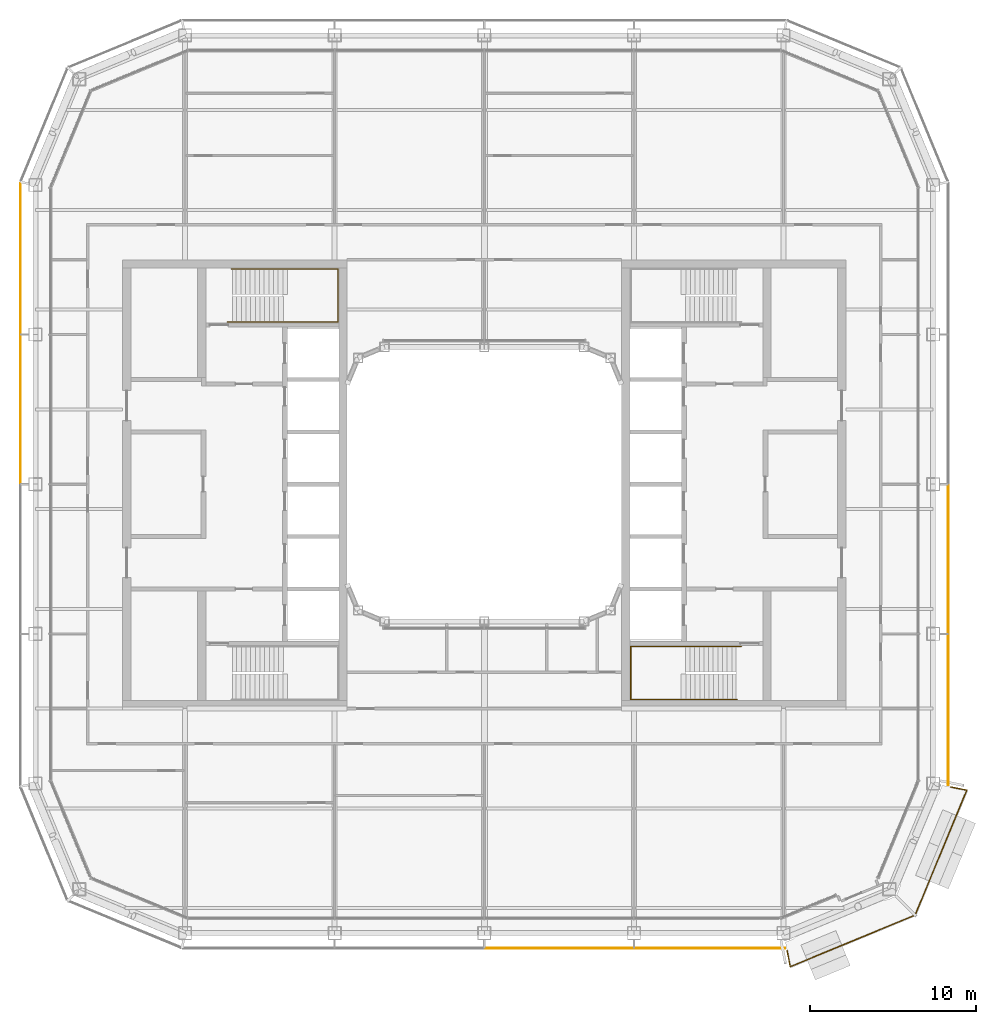
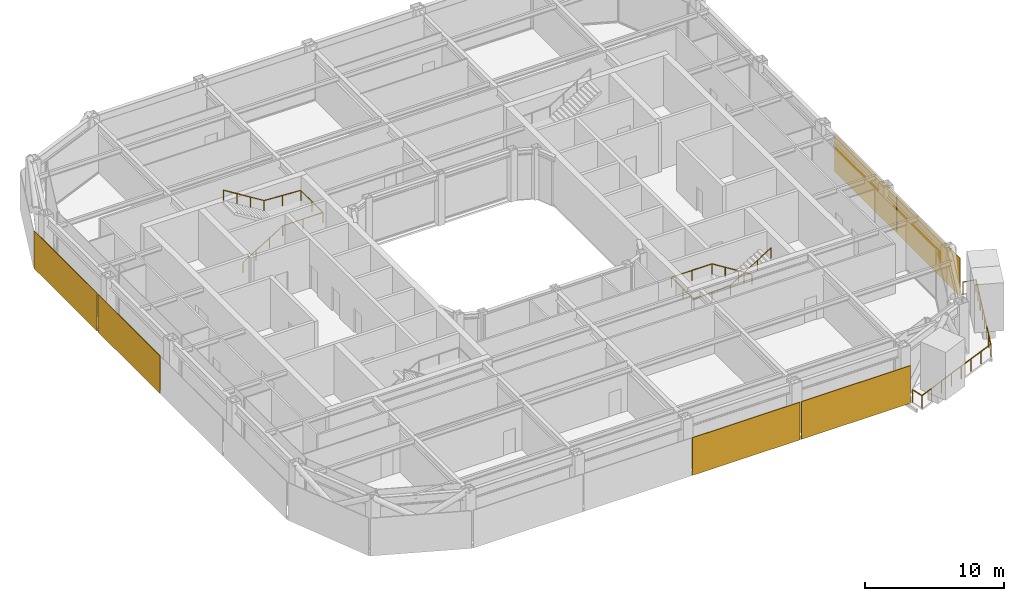
# One storey, part 20 of 23: 6 coverings, 3 railings.
"""IFC4 building model written with IfcOpenShell, lengths in metres."""

from ifc_helpers import new_model, si_unit, direction, frame, origin, origin_2d, place, context, subcontext, project, spatial, rectangle, circle, extrude, material, layer, layer_set, type_object, element, save


model = new_model("IFC4")

# Units and contexts
model_context = context("Model", 3, precision=1e-05, world=origin(), true_north=direction((0.0, 1.0)))
body_context = subcontext(model_context, "Body", "Model", "MODEL_VIEW")
ifc_project = project(units=[si_unit("LENGTHUNIT", "METRE"), si_unit("AREAUNIT", "SQUARE_METRE"), si_unit("VOLUMEUNIT", "CUBIC_METRE"), si_unit("PLANEANGLEUNIT", "RADIAN"), si_unit("MASSUNIT", "GRAM", prefix="KILO")], contexts=[model_context])

# Site, building, storey
site_placement = place(None, origin())
site = spatial("IfcSite", under=ifc_project, at=site_placement, CompositionType="ELEMENT")
building_placement = place(site_placement, origin())
building = spatial("IfcBuilding", under=site, at=building_placement, Name="Siwar Civic Tower", CompositionType="ELEMENT")
storey_placement = place(building_placement, frame((0.0, 0.0, 237.699951171875)))
storey = spatial("IfcBuildingStorey", under=building, at=storey_placement, Name="L51", CompositionType="ELEMENT", Elevation=237.699951171875)

# Railings
ifc_material_1 = material(Name="Stainless steel", Category="steel")
railing_type_1 = type_object("IfcRailingType", Name="CORE-STAIR-HANDRAIL", PredefinedType="HANDRAIL", material=ifc_material_1)
railing_1_placement = place(storey_placement, frame((-15.449951171875, 9.758056640625, 0.173095703125)))
element("IfcRailing", 1, at=railing_1_placement, inside=storey, type_object=railing_type_1, Name="Stair handrail ST1", PredefinedType="HANDRAIL", context=body_context, shape_type="SweptSolid", body=[
    extrude(circle(Radius=0.02001953125, at=origin_2d()), frame((0.0, 0.0, 0.8798828125), z_axis=(0.847063342986, 0.0, 0.531491950051), x_axis=(0.0, 1.0, 0.0)), (0.0, 0.0, 1.0), 3.90771484375),
    extrude(circle(Radius=0.02001953125, at=origin_2d()), frame((3.31005859375, 0.0, 2.956787109375), z_axis=(1.0, 0.0, 0.0), x_axis=(0.0, 1.0, 0.0)), (0.0, 0.0, 1.0), 3.331787109375),
    extrude(circle(Radius=0.02001953125, at=origin_2d()), frame((6.641845703125, 0.0, 2.956787109375), z_axis=(0.0, 1.0, 0.0), x_axis=(-1.0, 0.0, 0.0)), (0.0, 0.0, 1.0), 3.183837890625),
    extrude(circle(Radius=0.02001953125, at=origin_2d()), frame((6.641845703125, 3.183837890625, 2.956787109375), z_axis=(-0.99837434197, 0.0, 0.056997134106), x_axis=(0.0, -1.0, 0.0)), (0.0, 0.0, 1.0), 3.036865234375),
    extrude(circle(Radius=0.02001953125, at=origin_2d()), frame((3.60986328125, 3.183837890625, 3.1298828125), z_axis=(-0.850606129759, 0.0, 0.525803396734), x_axis=(0.0, -1.0, 0.0)), (0.0, 0.0, 1.0), 3.949951171875),
    extrude(circle(Radius=0.02001953125, at=origin_2d()), origin(), (0.0, 0.0, 1.0), 0.85986328125),
    extrude(circle(Radius=0.02001953125, at=origin_2d()), frame((1.103271484375, 0.0, 0.6923828125)), (0.0, 0.0, 1.0), 0.85986328125),
    extrude(circle(Radius=0.02001953125, at=origin_2d()), frame((2.206787109375, 0.0, 1.384521484375)), (0.0, 0.0, 1.0), 0.85986328125),
    extrude(circle(Radius=0.02001953125, at=origin_2d()), frame((3.31005859375, 0.0, 2.076904296875)), (0.0, 0.0, 1.0), 0.85986328125),
    extrude(circle(Radius=0.02001953125, at=origin_2d()), frame((4.97607421875, 0.0, 2.076904296875)), (0.0, 0.0, 1.0), 0.85986328125),
    extrude(circle(Radius=0.02001953125, at=origin_2d()), frame((6.641845703125, 0.0, 2.076904296875)), (0.0, 0.0, 1.0), 0.85986328125),
    extrude(circle(Radius=0.02001953125, at=origin_2d()), frame((6.641845703125, 1.591796875, 2.076904296875)), (0.0, 0.0, 1.0), 0.85986328125),
    extrude(circle(Radius=0.02001953125, at=origin_2d()), frame((6.641845703125, 3.183837890625, 2.076904296875)), (0.0, 0.0, 1.0), 0.85986328125),
    extrude(circle(Radius=0.02001953125, at=origin_2d()), frame((5.1259765625, 3.183837890625, 2.16357421875)), (0.0, 0.0, 1.0), 0.85986328125),
    extrude(circle(Radius=0.02001953125, at=origin_2d()), frame((3.60986328125, 3.183837890625, 2.25)), (0.0, 0.0, 1.0), 0.85986328125),
    extrude(circle(Radius=0.02001953125, at=origin_2d()), frame((2.489990234375, 3.183837890625, 2.9423828125)), (0.0, 0.0, 1.0), 0.85986328125),
    extrude(circle(Radius=0.02001953125, at=origin_2d()), frame((1.369873046875, 3.183837890625, 3.634521484375)), (0.0, 0.0, 1.0), 0.85986328125),
    extrude(circle(Radius=0.02001953125, at=origin_2d()), frame((0.25, 3.183837890625, 4.326904296875)), (0.0, 0.0, 1.0), 0.85986328125),
])
railing_2_placement = place(storey_placement, frame((15.449951171875, -9.758056640625, 0.173095703125)))
element("IfcRailing", 2, at=railing_2_placement, inside=storey, type_object=railing_type_1, Name="Stair handrail ST4", PredefinedType="HANDRAIL", context=body_context, shape_type="SweptSolid", body=[
    extrude(circle(Radius=0.02001953125, at=origin_2d()), frame((0.0, 0.0, 0.8798828125), z_axis=(-0.847063342986, 0.0, 0.531491950051), x_axis=(0.0, -1.0, 0.0)), (0.0, 0.0, 1.0), 3.90771484375),
    extrude(circle(Radius=0.02001953125, at=origin_2d()), frame((-3.31005859375, 0.0, 2.956787109375), z_axis=(-1.0, 0.0, 0.0), x_axis=(0.0, -1.0, 0.0)), (0.0, 0.0, 1.0), 3.331787109375),
    extrude(circle(Radius=0.02001953125, at=origin_2d()), frame((-6.641845703125, 0.0, 2.956787109375), z_axis=(0.0, -1.0, 0.0), x_axis=(1.0, 0.0, 0.0)), (0.0, 0.0, 1.0), 3.183837890625),
    extrude(circle(Radius=0.02001953125, at=origin_2d()), frame((-6.641845703125, -3.183837890625, 2.956787109375), z_axis=(0.99837434197, 0.0, 0.056997134106), x_axis=(0.0, 1.0, 0.0)), (0.0, 0.0, 1.0), 3.036865234375),
    extrude(circle(Radius=0.02001953125, at=origin_2d()), frame((-3.60986328125, -3.183837890625, 3.1298828125), z_axis=(0.850606129759, 0.0, 0.525803396734), x_axis=(0.0, 1.0, 0.0)), (0.0, 0.0, 1.0), 3.949951171875),
    extrude(circle(Radius=0.02001953125, at=origin_2d()), origin(), (0.0, 0.0, 1.0), 0.85986328125),
    extrude(circle(Radius=0.02001953125, at=origin_2d()), frame((-1.103271484375, 0.0, 0.6923828125)), (0.0, 0.0, 1.0), 0.85986328125),
    extrude(circle(Radius=0.02001953125, at=origin_2d()), frame((-2.206787109375, 0.0, 1.384521484375)), (0.0, 0.0, 1.0), 0.85986328125),
    extrude(circle(Radius=0.02001953125, at=origin_2d()), frame((-3.31005859375, 0.0, 2.076904296875)), (0.0, 0.0, 1.0), 0.85986328125),
    extrude(circle(Radius=0.02001953125, at=origin_2d()), frame((-4.97607421875, 0.0, 2.076904296875)), (0.0, 0.0, 1.0), 0.85986328125),
    extrude(circle(Radius=0.02001953125, at=origin_2d()), frame((-6.641845703125, 0.0, 2.076904296875)), (0.0, 0.0, 1.0), 0.85986328125),
    extrude(circle(Radius=0.02001953125, at=origin_2d()), frame((-6.641845703125, -1.591796875, 2.076904296875)), (0.0, 0.0, 1.0), 0.85986328125),
    extrude(circle(Radius=0.02001953125, at=origin_2d()), frame((-6.641845703125, -3.183837890625, 2.076904296875)), (0.0, 0.0, 1.0), 0.85986328125),
    extrude(circle(Radius=0.02001953125, at=origin_2d()), frame((-5.1259765625, -3.183837890625, 2.16357421875)), (0.0, 0.0, 1.0), 0.85986328125),
    extrude(circle(Radius=0.02001953125, at=origin_2d()), frame((-3.60986328125, -3.183837890625, 2.25)), (0.0, 0.0, 1.0), 0.85986328125),
    extrude(circle(Radius=0.02001953125, at=origin_2d()), frame((-2.489990234375, -3.183837890625, 2.9423828125)), (0.0, 0.0, 1.0), 0.85986328125),
    extrude(circle(Radius=0.02001953125, at=origin_2d()), frame((-1.369873046875, -3.183837890625, 3.634521484375)), (0.0, 0.0, 1.0), 0.85986328125),
    extrude(circle(Radius=0.02001953125, at=origin_2d()), frame((-0.25, -3.183837890625, 4.326904296875)), (0.0, 0.0, 1.0), 0.85986328125),
])
ifc_material_2 = material(Name="Stainless steel 316", Category="steel")
railing_type_2 = type_object("IfcRailingType", Name="ENV-GUARD", PredefinedType="GUARDRAIL", material=ifc_material_2)
railing_3_placement = place(storey_placement, frame((18.208251953125, -28.047119140625, 0.0)))
element("IfcRailing", 3, at=railing_3_placement, inside=storey, type_object=railing_type_2, Name="Balcony guard SE", PredefinedType="GUARDRAIL", context=body_context, shape_type="SweptSolid", body=[
    extrude(circle(Radius=0.02392578125, at=origin_2d()), frame((0.0, 0.0, 1.076171875), z_axis=(0.195123592472, -0.980778661911, 0.0), x_axis=(0.980778661911, 0.195123592472, 0.0)), (0.0, 0.0, 1.0), 0.993408203125),
    extrude(circle(Radius=0.02392578125, at=origin_2d()), frame((0.19384765625, -0.974365234375, 1.076171875), z_axis=(0.924089256518, 0.382176720888, 0.0), x_axis=(-0.382176720888, 0.924089256518, 0.0)), (0.0, 0.0, 1.0), 8.129638671875),
    extrude(circle(Radius=0.02392578125, at=origin_2d()), frame((7.706298828125, 2.132568359375, 1.076171875), z_axis=(0.382176720888, 0.924089256518, 0.0), x_axis=(-0.924089256518, 0.382176720888, 0.0)), (0.0, 0.0, 1.0), 8.129638671875),
    extrude(circle(Radius=0.02392578125, at=origin_2d()), frame((10.813232421875, 9.64501953125, 1.076171875), z_axis=(-0.980778661911, 0.195123592472, 0.0), x_axis=(-0.195123592472, -0.980778661911, 0.0)), (0.0, 0.0, 1.0), 0.993408203125),
    extrude(circle(Radius=0.02099609375, at=origin_2d()), origin(), (0.0, 0.0, 1.0), 1.052001953125),
    extrude(circle(Radius=0.02099609375, at=origin_2d()), frame((0.19384765625, -0.974365234375, 0.0)), (0.0, 0.0, 1.0), 1.052001953125),
    extrude(circle(Radius=0.02099609375, at=origin_2d()), frame((1.26708984375, -0.530517578125, 0.0)), (0.0, 0.0, 1.0), 1.052001953125),
    extrude(circle(Radius=0.02099609375, at=origin_2d()), frame((2.34033203125, -0.086669921875, 0.0)), (0.0, 0.0, 1.0), 1.052001953125),
    extrude(circle(Radius=0.02099609375, at=origin_2d()), frame((3.41357421875, 0.357177734375, 0.0)), (0.0, 0.0, 1.0), 1.052001953125),
    extrude(circle(Radius=0.02099609375, at=origin_2d()), frame((4.486572265625, 0.801025390625, 0.0)), (0.0, 0.0, 1.0), 1.052001953125),
    extrude(circle(Radius=0.02099609375, at=origin_2d()), frame((5.559814453125, 1.244873046875, 0.0)), (0.0, 0.0, 1.0), 1.052001953125),
    extrude(circle(Radius=0.02099609375, at=origin_2d()), frame((6.633056640625, 1.688720703125, 0.0)), (0.0, 0.0, 1.0), 1.052001953125),
    extrude(circle(Radius=0.02099609375, at=origin_2d()), frame((7.706298828125, 2.132568359375, 0.0)), (0.0, 0.0, 1.0), 1.052001953125),
    extrude(circle(Radius=0.02099609375, at=origin_2d()), frame((8.150146484375, 3.205810546875, 0.0)), (0.0, 0.0, 1.0), 1.052001953125),
    extrude(circle(Radius=0.02099609375, at=origin_2d()), frame((8.593994140625, 4.279052734375, 0.0)), (0.0, 0.0, 1.0), 1.052001953125),
    extrude(circle(Radius=0.02099609375, at=origin_2d()), frame((9.037841796875, 5.352294921875, 0.0)), (0.0, 0.0, 1.0), 1.052001953125),
    extrude(circle(Radius=0.02099609375, at=origin_2d()), frame((9.481689453125, 6.42529296875, 0.0)), (0.0, 0.0, 1.0), 1.052001953125),
    extrude(circle(Radius=0.02099609375, at=origin_2d()), frame((9.925537109375, 7.49853515625, 0.0)), (0.0, 0.0, 1.0), 1.052001953125),
    extrude(circle(Radius=0.02099609375, at=origin_2d()), frame((10.369384765625, 8.57177734375, 0.0)), (0.0, 0.0, 1.0), 1.052001953125),
    extrude(circle(Radius=0.02099609375, at=origin_2d()), frame((10.813232421875, 9.64501953125, 0.0)), (0.0, 0.0, 1.0), 1.052001953125),
    extrude(circle(Radius=0.02099609375, at=origin_2d()), frame((9.8388671875, 9.8388671875, 0.0)), (0.0, 0.0, 1.0), 1.052001953125),
])

# Coverings
ifc_material_3 = material(Name="Perforated aluminium cassette, pale metal", Category="aluminium")
ifc_layer_1 = layer(ifc_material_3, 0.0400390625)
ifc_layer_set_1 = layer_set([ifc_layer_1], Name="Perforated aluminium cassette, pale metal")
covering_type_1 = type_object("IfcCoveringType", Name="ENV-OUTER SKIN OS-1", PredefinedType="CLADDING", material=ifc_layer_set_1)
covering_1_placement = place(storey_placement, frame((27.89990234375, -13.57958984375, -0.14990234375), z_axis=(0.0, 0.0, 1.0), x_axis=(0.0, 1.0, 0.0)))
element("IfcCovering", 4, at=covering_1_placement, inside=storey, type_object=covering_type_1, Name="OUTER SKIN OS-1 E 1", PredefinedType="CLADDING", context=body_context, shape_type="SweptSolid", body=[
    extrude(rectangle(XDim=9.05908203125, YDim=0.0400390625, at=origin_2d()), origin(), (0.0, 0.0, 1.0), 3.300048828125),
])
covering_2_placement = place(storey_placement, frame((27.89990234375, -4.5, -0.14990234375), z_axis=(0.0, 0.0, 1.0), x_axis=(0.0, 1.0, 0.0)))
element("IfcCovering", 5, at=covering_2_placement, inside=storey, type_object=covering_type_1, Name="OUTER SKIN OS-1 E 2", PredefinedType="CLADDING", context=body_context, shape_type="SweptSolid", body=[
    extrude(rectangle(XDim=8.89990234375, YDim=0.0400390625, at=origin_2d()), origin(), (0.0, 0.0, 1.0), 3.300048828125),
])
ifc_material_4 = material(Name="Perforated aluminium cassette, pale metal", Category="aluminium")
ifc_layer_2 = layer(ifc_material_4, 0.050048828125)
ifc_layer_set_2 = layer_set([ifc_layer_2], Name="Perforated aluminium cassette, pale metal")
covering_type_2 = type_object("IfcCoveringType", Name="ENV-OUTER SKIN OS-3", PredefinedType="CLADDING", material=ifc_layer_set_2)
covering_3_placement = place(storey_placement, frame((-27.89990234375, 13.57958984375, -0.14990234375), z_axis=(0.0, 0.0, 1.0), x_axis=(0.0, -1.0, 0.0)))
element("IfcCovering", 6, at=covering_3_placement, inside=storey, type_object=covering_type_2, Name="OUTER SKIN OS-3 W 1", PredefinedType="CLADDING", context=body_context, shape_type="SweptSolid", body=[
    extrude(rectangle(XDim=9.05908203125, YDim=0.050048828125, at=origin_2d()), origin(), (0.0, 0.0, 1.0), 3.300048828125),
])
covering_4_placement = place(storey_placement, frame((-27.89990234375, 4.5, -0.14990234375), z_axis=(0.0, 0.0, 1.0), x_axis=(0.0, -1.0, 0.0)))
element("IfcCovering", 7, at=covering_4_placement, inside=storey, type_object=covering_type_2, Name="OUTER SKIN OS-3 W 2", PredefinedType="CLADDING", context=body_context, shape_type="SweptSolid", body=[
    extrude(rectangle(XDim=8.89990234375, YDim=0.050048828125, at=origin_2d()), origin(), (0.0, 0.0, 1.0), 3.300048828125),
])
ifc_material_5 = material(Name="Perforated aluminium cassette, pale metal", Category="aluminium")
ifc_layer_3 = layer(ifc_material_5, 0.054931640625)
ifc_layer_set_3 = layer_set([ifc_layer_3], Name="Perforated aluminium cassette, pale metal")
covering_type_3 = type_object("IfcCoveringType", Name="ENV-OUTER SKIN OS-4", PredefinedType="CLADDING", material=ifc_layer_set_3)
covering_5_placement = place(storey_placement, frame((4.5, -27.89990234375, -0.14990234375), z_axis=(0.0, 0.0, 1.0), x_axis=(1.0, 0.0, 0.0)))
element("IfcCovering", 8, at=covering_5_placement, inside=storey, type_object=covering_type_3, Name="OUTER SKIN OS-4 S 3", PredefinedType="CLADDING", context=body_context, shape_type="SweptSolid", body=[
    extrude(rectangle(XDim=8.89990234375, YDim=0.054931640625, at=origin_2d()), origin(), (0.0, 0.0, 1.0), 3.300048828125),
])
covering_6_placement = place(storey_placement, frame((13.57958984375, -27.89990234375, -0.14990234375), z_axis=(0.0, 0.0, 1.0), x_axis=(1.0, 0.0, 0.0)))
element("IfcCovering", 9, at=covering_6_placement, inside=storey, type_object=covering_type_3, Name="OUTER SKIN OS-4 S 4", PredefinedType="CLADDING", context=body_context, shape_type="SweptSolid", body=[
    extrude(rectangle(XDim=9.05908203125, YDim=0.054931640625, at=origin_2d()), origin(), (0.0, 0.0, 1.0), 3.300048828125),
])

save(model, "model.ifc")
